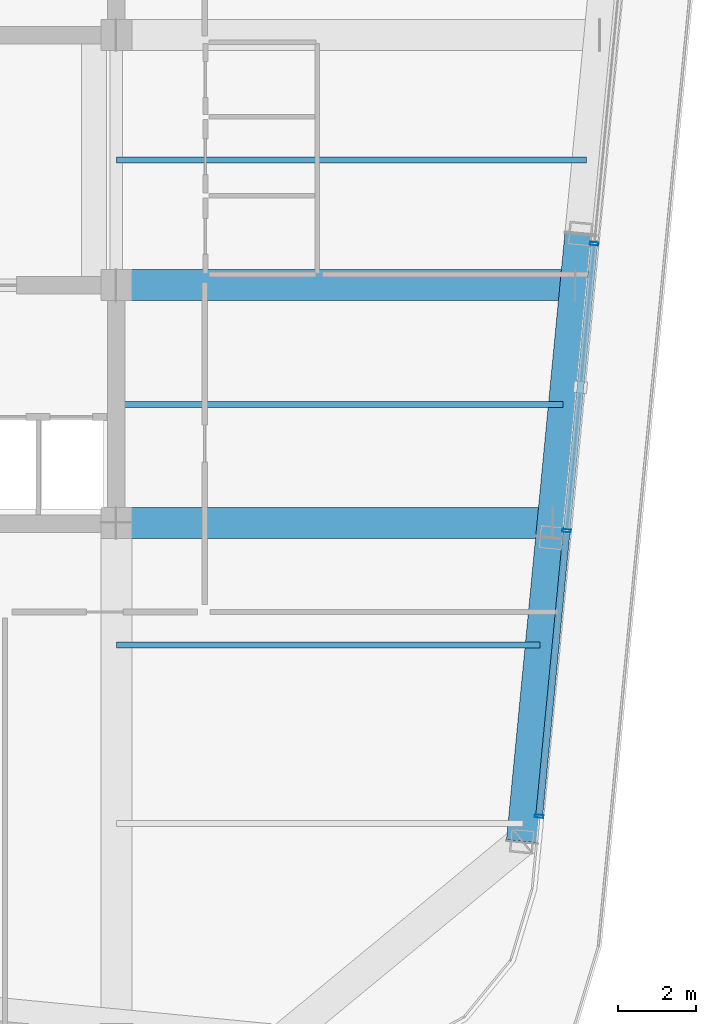
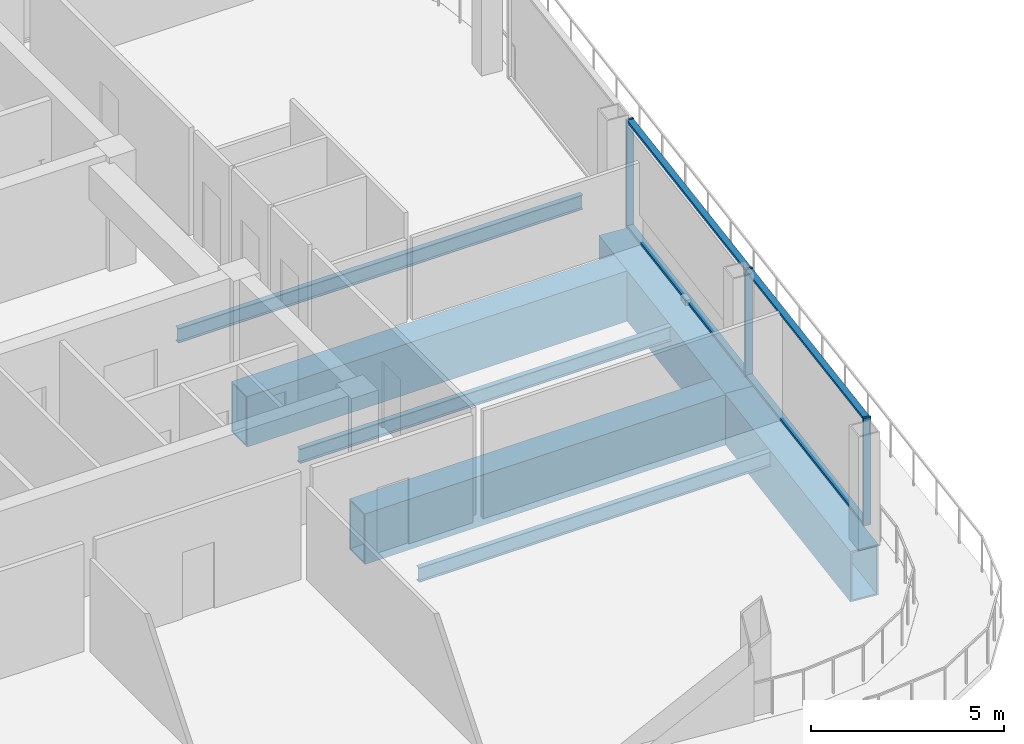
# One storey, part 6 of 20: 7 beams, 7 members, 1 element without a shape of its own.
"""IFC4 building model written with IfcOpenShell, lengths in metres."""

from ifc_helpers import new_model, si_unit, direction, frame, origin, origin_2d, place, context, subcontext, project, spatial, hollow_rectangle, i_section, extrude, material, layer, layer_set, material_profile, profile_set, type_object, element, aggregate, save


model = new_model("IFC4")

# Units and contexts
model_context = context("Model", 3, precision=1e-05, world=origin(), true_north=direction((0.0, 1.0)))
body_context = subcontext(model_context, "Body", "Model", "MODEL_VIEW")
ifc_project = project(units=[si_unit("LENGTHUNIT", "METRE"), si_unit("AREAUNIT", "SQUARE_METRE"), si_unit("VOLUMEUNIT", "CUBIC_METRE"), si_unit("PLANEANGLEUNIT", "RADIAN"), si_unit("MASSUNIT", "GRAM", prefix="KILO")], contexts=[model_context])

# Site, building, storey
site_placement = place(None, origin())
site = spatial("IfcSite", under=ifc_project, at=site_placement, CompositionType="ELEMENT")
building_placement = place(site_placement, origin())
building = spatial("IfcBuilding", under=site, at=building_placement, Name="Qhalaya Broadcast Tower", CompositionType="ELEMENT")
storey_placement = place(building_placement, frame((0.0, 0.0, 273.35009765625)))
storey = spatial("IfcBuildingStorey", under=building, at=storey_placement, Name="L81", CompositionType="ELEMENT", Elevation=273.35009765625)

# Beams
ifc_material_1 = material(Name="Structural Steel ASTM A992 Grade 50", Category="steel")
ifc_material_profile_1 = material_profile(ifc_material_1, i_section(OverallWidth=0.154052734375, OverallDepth=0.458984375, WebThickness=0.009033203125, FlangeThickness=0.015380859375, at=origin_2d()), Name="W18X46")
ifc_profile_set_1 = profile_set([ifc_material_profile_1], Name="Structural Steel ASTM A992 Grade 50")
beam_type_1 = type_object("IfcBeamType", Name="Composite Floor Joist J04", PredefinedType="JOIST", material=ifc_profile_set_1)
beam_1_placement = place(storey_placement, frame((9.375, -11.89990234375, -0.419677734375), z_axis=(1.0, 0.0, 0.0), x_axis=(0.0, 1.0, 0.0)))
element("IfcBeam", 1, at=beam_1_placement, inside=storey, type_object=beam_type_1, Name="L81 J04 L81-JWE2E-1", PredefinedType="JOIST", context=body_context, shape_type="SweptSolid", body=[
    extrude(i_section(OverallWidth=0.154052734375, OverallDepth=0.458984375, WebThickness=0.009033203125, FlangeThickness=0.015380859375, at=origin_2d()), origin(), (0.0, 0.0, 1.0), 10.9208984375),
])
beam_2_placement = place(storey_placement, frame((9.375, -5.699951171875, -0.419677734375), z_axis=(1.0, 0.0, 0.0), x_axis=(0.0, 1.0, 0.0)))
element("IfcBeam", 2, at=beam_2_placement, inside=storey, type_object=beam_type_1, Name="L81 J04 L81-JWE3E-1", PredefinedType="JOIST", context=body_context, shape_type="SweptSolid", body=[
    extrude(i_section(OverallWidth=0.154052734375, OverallDepth=0.458984375, WebThickness=0.009033203125, FlangeThickness=0.015380859375, at=origin_2d()), origin(), (0.0, 0.0, 1.0), 11.517822265625),
])
beam_3_placement = place(storey_placement, frame((9.375, 0.60009765625, -0.419677734375), z_axis=(1.0, 0.0, 0.0), x_axis=(0.0, 1.0, 0.0)))
element("IfcBeam", 3, at=beam_3_placement, inside=storey, type_object=beam_type_1, Name="L81 J04 L81-JWE4E-1", PredefinedType="JOIST", context=body_context, shape_type="SweptSolid", body=[
    extrude(i_section(OverallWidth=0.154052734375, OverallDepth=0.458984375, WebThickness=0.009033203125, FlangeThickness=0.015380859375, at=origin_2d()), origin(), (0.0, 0.0, 1.0), 12.12451171875),
])

# Curtain wall, members
ifc_material_2 = material(Name="Solar-Control Low-E Triple Glazing", Category="glass")
ifc_layer = layer(ifc_material_2, 0.219970703125, Name="Solar-Control Low-E Triple Glazing")
ifc_layer_set = layer_set([ifc_layer], Name="Solar-Control Low-E Triple Glazing")
curtain_wall_type = type_object("IfcCurtainWallType", Name="Crown Garden & Observation Windscreen Curtain Wall CW-06", PredefinedType="NOTDEFINED", material=ifc_layer_set)
curtain_wall_placement = place(storey_placement, origin())
curtain_wall = element("IfcCurtainWall", 4, at=curtain_wall_placement, inside=storey, type_object=curtain_wall_type, Name="L81 Unitised Curtain Wall L81-CW-E", PredefinedType="NOTDEFINED")
ifc_material_3 = material(Name="Anodised Aluminium 6063-T6", Category="aluminium")
ifc_material_profile_2 = material_profile(ifc_material_3, hollow_rectangle(XDim=0.074951171875, YDim=0.219970703125, WallThickness=0.00390625, at=origin_2d()), Name="ALU-MUL 75x220x4")
ifc_profile_set_2 = profile_set([ifc_material_profile_2], Name="Anodised Aluminium 6063-T6")
member_type_1 = type_object("IfcMemberType", Name="Unitised Curtain-Wall Mullion M01", PredefinedType="MULLION", material=ifc_profile_set_2)
member_1_placement = place(storey_placement, frame((20.272705078125, -16.315185546875, 0.0), z_axis=(0.0, 0.0, 1.0), x_axis=(0.095847667974, 0.995396013928, 0.0)))
member_1 = element("IfcMember", 5, at=member_1_placement, type_object=member_type_1, Name="CW-06 mullion 1", PredefinedType="MULLION", context=body_context, shape_type="SweptSolid", body=[
    extrude(hollow_rectangle(XDim=0.074951171875, YDim=0.219970703125, WallThickness=0.00390625, at=origin_2d()), origin(), (0.0, 0.0, 1.0), 3.409912109375),
])
member_2_placement = place(storey_placement, frame((20.9814453125, -8.953369140625, 0.0), z_axis=(0.0, 0.0, 1.0), x_axis=(0.095847667974, 0.995396013928, 0.0)))
member_2 = element("IfcMember", 6, at=member_2_placement, type_object=member_type_1, Name="CW-06 mullion 2", PredefinedType="MULLION", context=body_context, shape_type="SweptSolid", body=[
    extrude(hollow_rectangle(XDim=0.074951171875, YDim=0.219970703125, WallThickness=0.00390625, at=origin_2d()), origin(), (0.0, 0.0, 1.0), 3.409912109375),
])
member_3_placement = place(storey_placement, frame((21.69384765625, -1.55419921875, 0.0), z_axis=(0.0, 0.0, 1.0), x_axis=(0.095847667974, 0.995396013928, 0.0)))
member_3 = element("IfcMember", 7, at=member_3_placement, type_object=member_type_1, Name="CW-06 mullion 3", PredefinedType="MULLION", context=body_context, shape_type="SweptSolid", body=[
    extrude(hollow_rectangle(XDim=0.074951171875, YDim=0.219970703125, WallThickness=0.00390625, at=origin_2d()), origin(), (0.0, 0.0, 1.0), 3.409912109375),
])
ifc_material_profile_3 = material_profile(ifc_material_3, hollow_rectangle(XDim=0.074951171875, YDim=0.179931640625, WallThickness=0.00390625, at=origin_2d()), Name="ALU-TRN 75x180x4")
ifc_profile_set_3 = profile_set([ifc_material_profile_3], Name="Anodised Aluminium 6063-T6")
member_type_2 = type_object("IfcMemberType", Name="Unitised Curtain-Wall Transom T01", PredefinedType="USERDEFINED", material=ifc_profile_set_3)
member_4_placement = place(storey_placement, frame((20.276123046875, -16.27783203125, 0.037353515625), z_axis=(0.095844579162, 0.995396311348, 0.0), x_axis=(0.0, 0.0, 1.0)))
member_4 = element("IfcMember", 8, at=member_4_placement, type_object=member_type_2, Name="CW-06 transom 1.1", ObjectType="TRANSOM", PredefinedType="USERDEFINED", context=body_context, shape_type="SweptSolid", body=[
    extrude(hollow_rectangle(XDim=0.074951171875, YDim=0.179931640625, WallThickness=0.00390625, at=origin_2d()), origin(), (0.0, 0.0, 1.0), 7.32080078125),
])
member_5_placement = place(storey_placement, frame((20.276123046875, -16.27783203125, 3.372314453125), z_axis=(0.095844579162, 0.995396311348, 0.0), x_axis=(0.0, 0.0, 1.0)))
member_5 = element("IfcMember", 9, at=member_5_placement, type_object=member_type_2, Name="CW-06 transom 1.2", ObjectType="TRANSOM", PredefinedType="USERDEFINED", context=body_context, shape_type="SweptSolid", body=[
    extrude(hollow_rectangle(XDim=0.074951171875, YDim=0.179931640625, WallThickness=0.00390625, at=origin_2d()), origin(), (0.0, 0.0, 1.0), 7.32080078125),
])
member_6_placement = place(storey_placement, frame((20.985107421875, -8.916015625, 0.037353515625), z_axis=(0.095853387986, 0.995395463126, 0.0), x_axis=(0.0, 0.0, 1.0)))
member_6 = element("IfcMember", 10, at=member_6_placement, type_object=member_type_2, Name="CW-06 transom 2.1", ObjectType="TRANSOM", PredefinedType="USERDEFINED", context=body_context, shape_type="SweptSolid", body=[
    extrude(hollow_rectangle(XDim=0.074951171875, YDim=0.179931640625, WallThickness=0.00390625, at=origin_2d()), origin(), (0.0, 0.0, 1.0), 7.3583984375),
])
member_7_placement = place(storey_placement, frame((20.985107421875, -8.916015625, 3.372314453125), z_axis=(0.095853387986, 0.995395463126, 0.0), x_axis=(0.0, 0.0, 1.0)))
member_7 = element("IfcMember", 11, at=member_7_placement, type_object=member_type_2, Name="CW-06 transom 2.2", ObjectType="TRANSOM", PredefinedType="USERDEFINED", context=body_context, shape_type="SweptSolid", body=[
    extrude(hollow_rectangle(XDim=0.074951171875, YDim=0.179931640625, WallThickness=0.00390625, at=origin_2d()), origin(), (0.0, 0.0, 1.0), 7.3583984375),
])
aggregate(curtain_wall, [member_1, member_2, member_3, member_4, member_5, member_6, member_7])

# Beams
ifc_material_4 = material(Name="Structural Steel ASTM A572 Grade 50", Category="steel")
ifc_material_profile_4 = material_profile(ifc_material_4, hollow_rectangle(XDim=0.800048828125, YDim=1.60009765625, WallThickness=0.050048828125, at=origin_2d()), Name="BOX 800x1600x50")
ifc_profile_set_4 = profile_set([ifc_material_profile_4], Name="Structural Steel ASTM A572 Grade 50")
beam_type_2 = type_object("IfcBeamType", Name="Upper Cantilever Transfer Box Girder TG2", PredefinedType="USERDEFINED", material=ifc_profile_set_4)
beam_4_placement = place(storey_placement, frame((19.82861328125, -16.962890625, -0.989990234375), z_axis=(0.095837184179, 0.995397023367, 0.0), x_axis=(-0.995397023367, 0.095837184179, 0.0)))
element("IfcBeam", 12, at=beam_4_placement, inside=storey, type_object=beam_type_2, Name="L81 TG2 L81-SPR-05", ObjectType="GIRDER", PredefinedType="USERDEFINED", context=body_context, shape_type="SweptSolid", body=[
    extrude(hollow_rectangle(XDim=0.800048828125, YDim=1.60009765625, WallThickness=0.050048828125, at=origin_2d()), origin(), (0.0, 0.0, 1.0), 7.866455078125),
])
beam_5_placement = place(storey_placement, frame((20.58251953125, -9.132568359375, -0.989990234375), z_axis=(0.095834223619, 0.995397308407, 0.0), x_axis=(-0.995397308407, 0.095834223619, 0.0)))
element("IfcBeam", 13, at=beam_5_placement, inside=storey, type_object=beam_type_2, Name="L81 TG2 L81-SPR-06", ObjectType="GIRDER", PredefinedType="USERDEFINED", context=body_context, shape_type="SweptSolid", body=[
    extrude(hollow_rectangle(XDim=0.800048828125, YDim=1.60009765625, WallThickness=0.050048828125, at=origin_2d()), origin(), (0.0, 0.0, 1.0), 7.86669921875),
])
beam_6_placement = place(storey_placement, frame((9.375, -8.75, -0.989990234375), z_axis=(1.0, 0.0, 0.0), x_axis=(0.0, 1.0, 0.0)))
element("IfcBeam", 14, at=beam_6_placement, inside=storey, type_object=beam_type_2, Name="L81 TG2 L81-PGYE1-1", ObjectType="GIRDER", PredefinedType="USERDEFINED", context=body_context, shape_type="SweptSolid", body=[
    extrude(hollow_rectangle(XDim=0.800048828125, YDim=1.60009765625, WallThickness=0.050048828125, at=origin_2d()), origin(), (0.0, 0.0, 1.0), 11.22412109375),
])
beam_7_placement = place(storey_placement, frame((9.375, -2.625, -0.989990234375), z_axis=(1.0, 0.0, 0.0), x_axis=(0.0, 1.0, 0.0)))
element("IfcBeam", 15, at=beam_7_placement, inside=storey, type_object=beam_type_2, Name="L81 TG2 L81-PGYE2-1", ObjectType="GIRDER", PredefinedType="USERDEFINED", context=body_context, shape_type="SweptSolid", body=[
    extrude(hollow_rectangle(XDim=0.800048828125, YDim=1.60009765625, WallThickness=0.050048828125, at=origin_2d()), origin(), (0.0, 0.0, 1.0), 11.81396484375),
])

save(model, "model.ifc")
